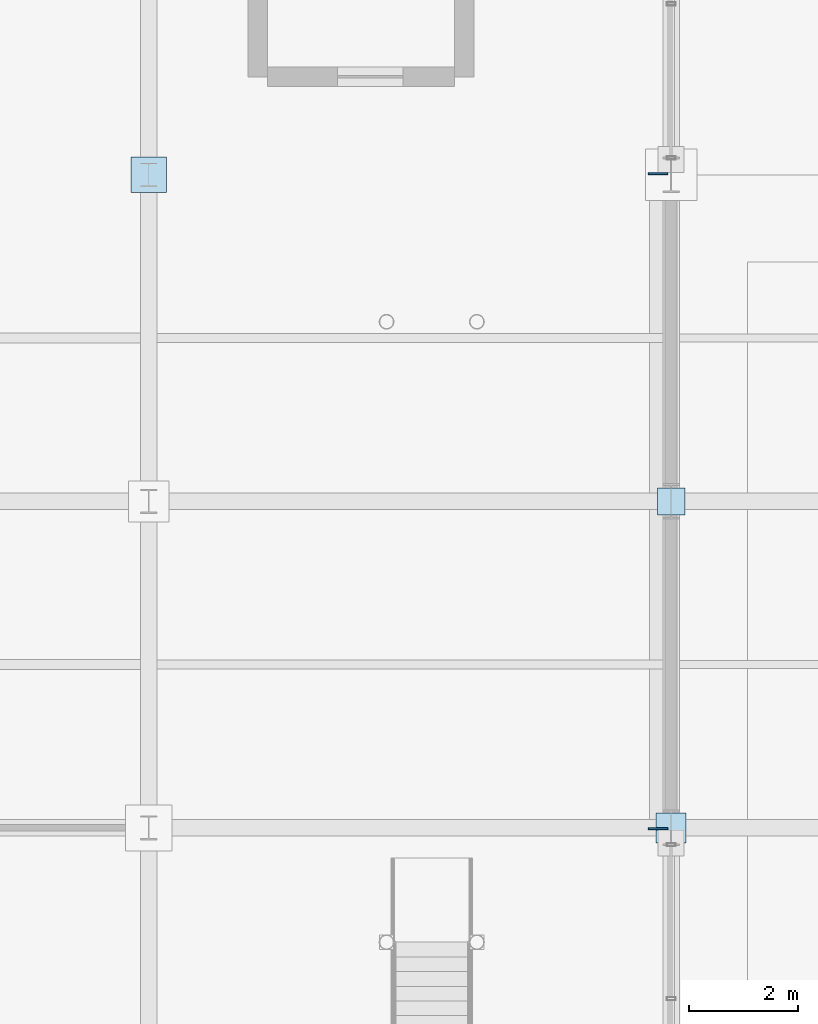
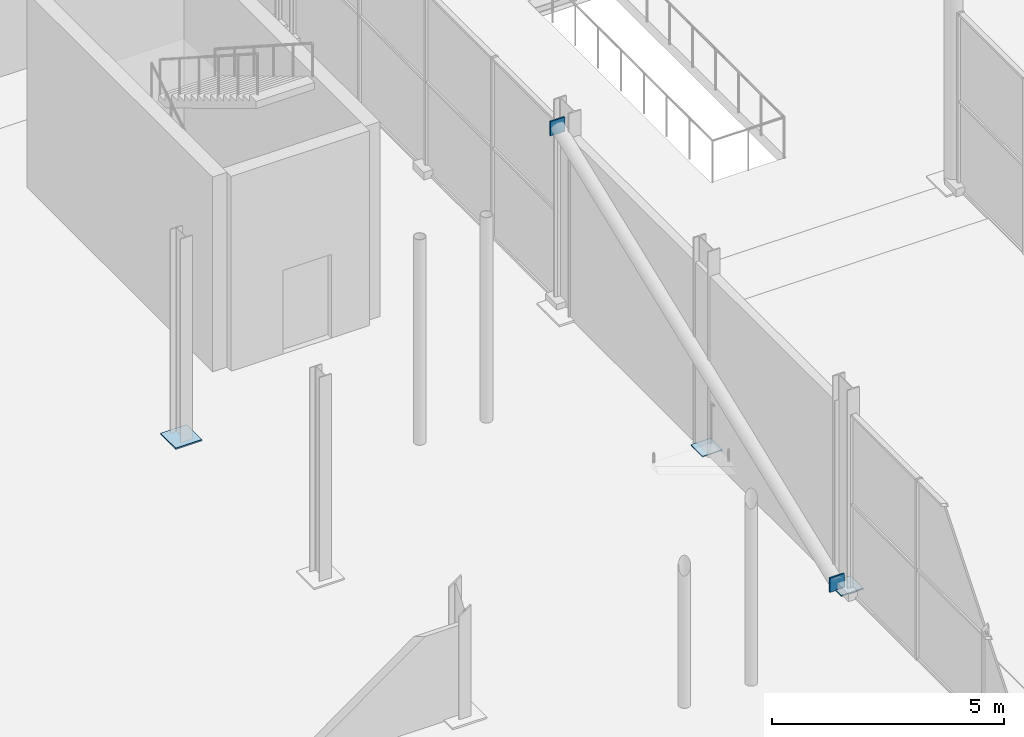
# One storey, part 156 of 196: 5 plates.
"""IFC4 building model written with IfcOpenShell, lengths in metres."""

from ifc_helpers import new_model, si_unit, direction, frame, origin, origin_2d, place, context, subcontext, project, spatial, rectangle, extrude, material, layer, layer_set, type_object, element, save


model = new_model("IFC4")

# Units and contexts
model_context = context("Model", 3, precision=1e-05, world=origin(), true_north=direction((0.0, 1.0)))
body_context = subcontext(model_context, "Body", "Model", "MODEL_VIEW")
ifc_project = project(units=[si_unit("LENGTHUNIT", "METRE"), si_unit("AREAUNIT", "SQUARE_METRE"), si_unit("VOLUMEUNIT", "CUBIC_METRE"), si_unit("PLANEANGLEUNIT", "RADIAN"), si_unit("MASSUNIT", "GRAM", prefix="KILO")], contexts=[model_context])

# Site, building, storey
site_placement = place(None, origin())
site = spatial("IfcSite", under=ifc_project, at=site_placement, CompositionType="ELEMENT")
building_placement = place(site_placement, origin())
building = spatial("IfcBuilding", under=site, at=building_placement, Name="Merenkruunu Market Hall", CompositionType="ELEMENT")
storey_placement = place(building_placement, origin())
storey = spatial("IfcBuildingStorey", under=building, at=storey_placement, Name="L00", CompositionType="ELEMENT", Elevation=0.0)

# Plates
ifc_material = material(Name="Steel S355ML", Category="steel")
ifc_layer_1 = layer(ifc_material, 0.034912109375)
ifc_layer_set_1 = layer_set([ifc_layer_1], Name="Steel S355ML")
plate_type_1 = type_object("IfcPlateType", Name="Column Base Plate BP03", PredefinedType="USERDEFINED", material=ifc_layer_set_1)
plate_1_placement = place(storey_placement, frame((48.0, 51.60009765625, 0.0), z_axis=(0.0, 0.0, 1.0), x_axis=(1.0, 0.0, 0.0)))
element("IfcPlate", 1, at=plate_1_placement, inside=storey, type_object=plate_type_1, Name="PLT-BP-F-07", ObjectType="BASE_PLATE", PredefinedType="USERDEFINED", context=body_context, shape_type="SweptSolid", body=[
    extrude(rectangle(XDim=0.64990234375, YDim=0.64990234375, at=origin_2d()), origin(), (0.0, 0.0, 1.0), 0.034912109375),
])
ifc_layer_2 = layer(ifc_material, 0.030029296875)
ifc_layer_set_2 = layer_set([ifc_layer_2], Name="Steel S355ML")
plate_type_2 = type_object("IfcPlateType", Name="Column Base Plate BP04", PredefinedType="USERDEFINED", material=ifc_layer_set_2)
plate_2_placement = place(storey_placement, frame((57.60009765625, 39.60009765625, 0.0), z_axis=(0.0, 0.0, 1.0), x_axis=(1.0, 0.0, 0.0)))
element("IfcPlate", 2, at=plate_2_placement, inside=storey, type_object=plate_type_2, Name="PLT-BP-G-05", ObjectType="BASE_PLATE", PredefinedType="USERDEFINED", context=body_context, shape_type="SweptSolid", body=[
    extrude(rectangle(XDim=0.550048828125, YDim=0.550048828125, at=origin_2d()), origin(), (0.0, 0.0, 1.0), 0.030029296875),
])
ifc_layer_3 = layer(ifc_material, 0.028076171875)
ifc_layer_set_3 = layer_set([ifc_layer_3], Name="Steel S355ML")
plate_type_3 = type_object("IfcPlateType", Name="Column Base Plate BP05", PredefinedType="USERDEFINED", material=ifc_layer_set_3)
plate_3_placement = place(storey_placement, frame((57.60009765625, 45.60009765625, 0.0), z_axis=(0.0, 0.0, 1.0), x_axis=(1.0, 0.0, 0.0)))
element("IfcPlate", 3, at=plate_3_placement, inside=storey, type_object=plate_type_3, Name="PLT-BP-G-06", ObjectType="BASE_PLATE", PredefinedType="USERDEFINED", context=body_context, shape_type="SweptSolid", body=[
    extrude(rectangle(XDim=0.5, YDim=0.5, at=origin_2d()), origin(), (0.0, 0.0, 1.0), 0.028076171875),
])
ifc_layer_4 = layer(ifc_material, 0.035888671875)
ifc_layer_set_4 = layer_set([ifc_layer_4], Name="Steel S355ML")
plate_type_4 = type_object("IfcPlateType", Name="Truss Gusset Or Cap Plate CP08", PredefinedType="USERDEFINED", material=ifc_layer_set_4)
for number, where, z_axis, x_axis, name in (
    (4, (57.360107421875, 39.58203125, 0.010009765625), (0.0, 0.0, 1.0), (1.0, 0.0, 0.0), "PLT-CBF05-A"),
    (5, (57.360107421875, 51.617919921875, 4.7099609375), (0.0, 0.0, 1.0), (1.0, 0.0, 0.0), "PLT-CBF05-B"),
):
    element("IfcPlate", number, at=place(storey_placement, frame(where, z_axis=z_axis, x_axis=x_axis)), inside=storey, type_object=plate_type_4, Name=name, ObjectType="GUSSET_PLATE", PredefinedType="USERDEFINED", context=body_context, shape_type="SweptSolid", body=[
        extrude(rectangle(XDim=0.360107421875, YDim=0.035888671875, at=origin_2d()), origin(), (0.0, 0.0, 1.0), 0.3798828125),
    ])

save(model, "model.ifc")
